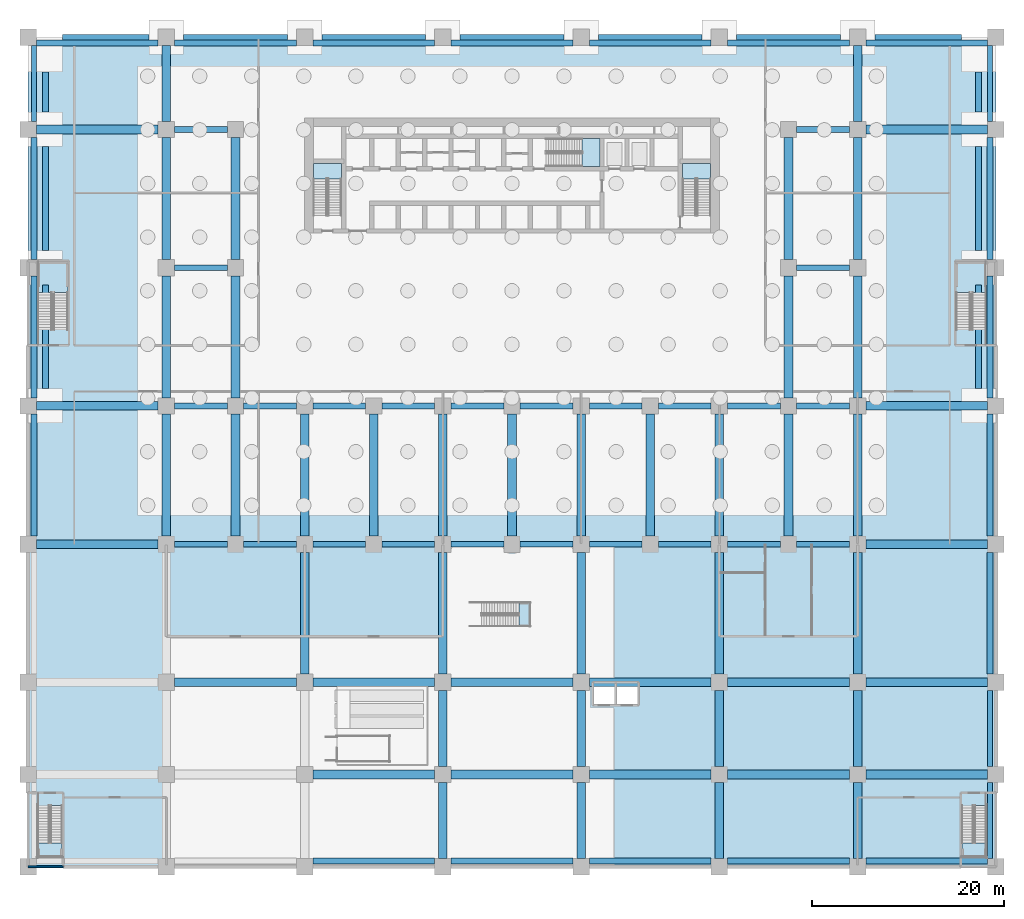
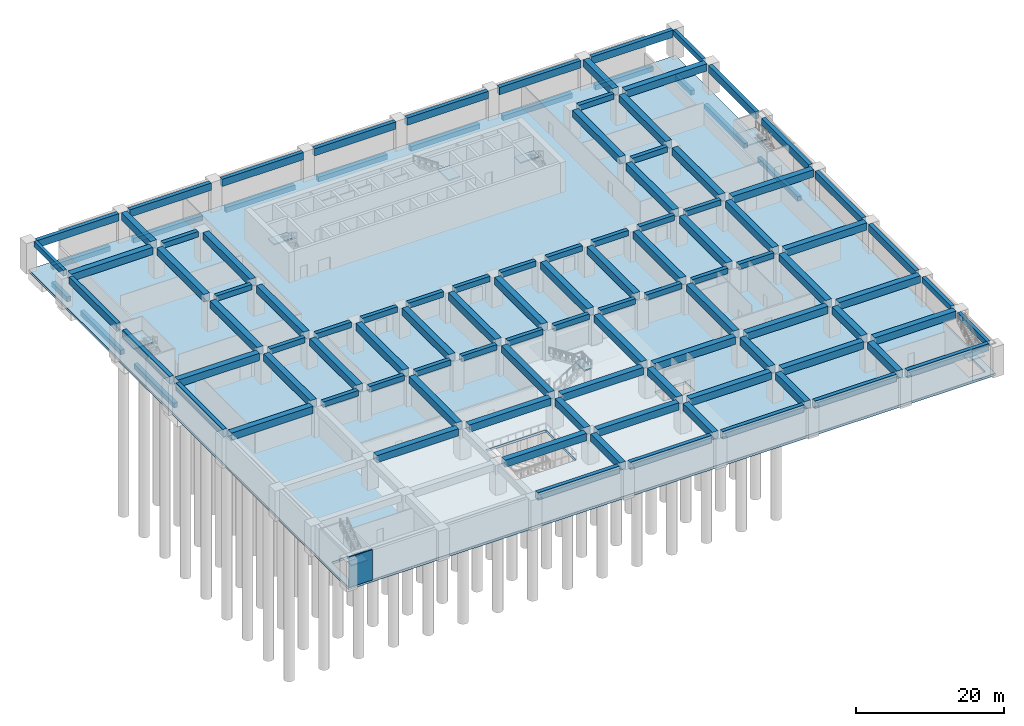
# One storey, part 2 of 20: 111 beams, 9 slabs, 1 wall, 8 elements without a shape of their own.
"""IFC4 building model written with IfcOpenShell, lengths in metres."""

from ifc_helpers import new_model, si_unit, direction, frame, frame_2d, origin, origin_with_axes, origin_2d, place, context, subcontext, project, spatial, polyline, rectangle, outline, extrude, source, transform, mapped, material, layer, layer_set, material_profile, profile_set, type_object, element, aggregate, save


model = new_model("IFC4")

# Units and contexts
model_context = context("Model", 3, precision=1e-05, world=origin(), true_north=direction((0.0, 1.0)))
body_context = subcontext(model_context, "Body", "Model", "MODEL_VIEW")
ifc_project = project(units=[si_unit("LENGTHUNIT", "METRE"), si_unit("AREAUNIT", "SQUARE_METRE"), si_unit("VOLUMEUNIT", "CUBIC_METRE"), si_unit("PLANEANGLEUNIT", "RADIAN"), si_unit("MASSUNIT", "GRAM", prefix="KILO")], contexts=[model_context])

# Site, building, storey
site_placement = place(None, origin())
site = spatial("IfcSite", under=ifc_project, at=site_placement, CompositionType="ELEMENT")
building_placement = place(site_placement, origin())
building = spatial("IfcBuilding", under=site, at=building_placement, Name="Saffron Iwan Residences", CompositionType="ELEMENT")
storey_placement = place(building_placement, frame((0.0, 0.0, -5.39990234375)))
storey = spatial("IfcBuildingStorey", under=building, at=storey_placement, Name="B1", CompositionType="ELEMENT", Elevation=-5.39990234375)

# Beams
ifc_material_1 = material(Name="Concrete C50/60", Category="concrete")
ifc_material_profile_1 = material_profile(ifc_material_1, rectangle(XDim=0.5, YDim=0.89990234375, at=origin_2d()), Name="RC 500x900")
ifc_profile_set_1 = profile_set([ifc_material_profile_1], Name="Concrete C50/60")
beam_type_1 = type_object("IfcBeamType", Name="SPANDREL BEAM RC 500x900 C50/60 TOP 5000", PredefinedType="SPANDREL", material=ifc_profile_set_1)
shared_shape_1 = source(origin(), body_context, "Body", "SweptSolid", [
    extrude(rectangle(XDim=0.5, YDim=0.89990234375, at=origin_2d()), origin(), (0.0, 0.0, 1.0), 7.89990234375),
])
beam_1_placement = place(storey_placement, frame((100.199951171875, 8.75, 4.5498046875), z_axis=(0.0, -1.0, 0.0), x_axis=(1.0, 0.0, 0.0)))
element("IfcBeam", 1, at=beam_1_placement, inside=storey, type_object=beam_type_1, Name="Spandrel beam", PredefinedType="SPANDREL", context=body_context, shape_type="MappedRepresentation", body=[
    mapped(shared_shape_1, transform((0.0, 0.0, 0.0))),
])
shared_shape_2 = source(origin(), body_context, "Body", "SweptSolid", [
    extrude(rectangle(XDim=0.5, YDim=0.89990234375, at=origin_2d()), origin(), (0.0, 0.0, 1.0), 7.900146484375),
])
for number, where, z_axis, x_axis, name in (
    (2, (100.199951171875, 18.35009765625, 4.5498046875), (0.0, -1.0, 0.0), (1.0, 0.0, 0.0), "Spandrel beam"),
    (3, (0.60009765625, 77.64990234375, 4.5498046875), (0.0, 1.0, 0.0), (-1.0, 0.0, 0.0), "Spandrel beam"),
    (4, (100.199951171875, 85.550048828125, 4.5498046875), (0.0, -1.0, 0.0), (1.0, 0.0, 0.0), "Spandrel beam"),
):
    element("IfcBeam", number, at=place(storey_placement, frame(where, z_axis=z_axis, x_axis=x_axis)), inside=storey, type_object=beam_type_1, Name=name, PredefinedType="SPANDREL", context=body_context, shape_type="MappedRepresentation", body=[
        mapped(shared_shape_2, transform((0.0, 0.0, 0.0))),
    ])
ifc_material_profile_2 = material_profile(ifc_material_1, rectangle(XDim=0.60009765625, YDim=1.199951171875, at=origin_2d()), Name="RC 600x1200")
ifc_profile_set_2 = profile_set([ifc_material_profile_2], Name="Concrete C50/60")
beam_type_2 = type_object("IfcBeamType", Name="LINTEL BEAM RC 600x1200 C50/60 TOP 5000", PredefinedType="LINTEL", material=ifc_profile_set_2)
shared_shape_3 = source(origin(), body_context, "Body", "SweptSolid", [
    extrude(rectangle(XDim=0.60009765625, YDim=1.199951171875, at=origin_2d()), origin(), (0.0, 0.0, 1.0), 12.699951171875),
])
for number, where, z_axis, x_axis, name in (
    (5, (56.75, 0.60009765625, 4.39990234375), (-1.0, 0.0, 0.0), (0.0, -1.0, 0.0), "Lintel beam over the iwan"),
    (6, (71.14990234375, 0.60009765625, 4.39990234375), (-1.0, 0.0, 0.0), (0.0, -1.0, 0.0), "Lintel beam over the iwan"),
    (7, (85.550048828125, 0.60009765625, 4.39990234375), (-1.0, 0.0, 0.0), (0.0, -1.0, 0.0), "Lintel beam over the iwan"),
    (8, (99.949951171875, 0.60009765625, 4.39990234375), (-1.0, 0.0, 0.0), (0.0, -1.0, 0.0), "Lintel beam over the iwan"),
    (9, (100.199951171875, 32.75, 4.39990234375), (0.0, -1.0, 0.0), (1.0, 0.0, 0.0), "Lintel beam over the iwan"),
    (10, (0.60009765625, 34.449951171875, 4.39990234375), (0.0, 1.0, 0.0), (-1.0, 0.0, 0.0), "Lintel beam over the iwan"),
    (11, (100.199951171875, 47.14990234375, 4.39990234375), (0.0, -1.0, 0.0), (1.0, 0.0, 0.0), "Lintel beam over the iwan"),
    (12, (0.60009765625, 48.85009765625, 4.39990234375), (0.0, 1.0, 0.0), (-1.0, 0.0, 0.0), "Lintel beam over the iwan"),
    (13, (100.199951171875, 61.550048828125, 4.39990234375), (0.0, -1.0, 0.0), (1.0, 0.0, 0.0), "Lintel beam over the iwan"),
    (14, (0.60009765625, 63.25, 4.39990234375), (0.0, 1.0, 0.0), (-1.0, 0.0, 0.0), "Lintel beam over the iwan"),
    (15, (100.199951171875, 75.949951171875, 4.39990234375), (0.0, -1.0, 0.0), (1.0, 0.0, 0.0), "Lintel beam over the iwan"),
    (16, (0.85009765625, 85.800048828125, 4.39990234375), (1.0, 0.0, 0.0), (0.0, 1.0, 0.0), "Lintel beam over the iwan"),
    (17, (15.25, 85.800048828125, 4.39990234375), (1.0, 0.0, 0.0), (0.0, 1.0, 0.0), "Lintel beam over the iwan"),
    (18, (44.050048828125, 85.800048828125, 4.39990234375), (1.0, 0.0, 0.0), (0.0, 1.0, 0.0), "Lintel beam over the iwan"),
    (19, (58.449951171875, 85.800048828125, 4.39990234375), (1.0, 0.0, 0.0), (0.0, 1.0, 0.0), "Lintel beam over the iwan"),
    (20, (72.85009765625, 85.800048828125, 4.39990234375), (1.0, 0.0, 0.0), (0.0, 1.0, 0.0), "Lintel beam over the iwan"),
    (21, (87.25, 85.800048828125, 4.39990234375), (1.0, 0.0, 0.0), (0.0, 1.0, 0.0), "Lintel beam over the iwan"),
):
    element("IfcBeam", number, at=place(storey_placement, frame(where, z_axis=z_axis, x_axis=x_axis)), inside=storey, type_object=beam_type_2, Name=name, PredefinedType="LINTEL", context=body_context, shape_type="MappedRepresentation", body=[
        mapped(shared_shape_3, transform((0.0, 0.0, 0.0))),
    ])
shared_shape_4 = source(origin(), body_context, "Body", "SweptSolid", [
    extrude(rectangle(XDim=0.60009765625, YDim=1.199951171875, at=origin_2d()), origin(), (0.0, 0.0, 1.0), 12.7001953125),
])
for number, where, z_axis, x_axis, name in (
    (22, (42.35009765625, 0.60009765625, 4.39990234375), (-1.0, 0.0, 0.0), (0.0, -1.0, 0.0), "Lintel beam over the iwan"),
    (23, (29.64990234375, 85.800048828125, 4.39990234375), (1.0, 0.0, 0.0), (0.0, 1.0, 0.0), "Lintel beam over the iwan"),
):
    element("IfcBeam", number, at=place(storey_placement, frame(where, z_axis=z_axis, x_axis=x_axis)), inside=storey, type_object=beam_type_2, Name=name, PredefinedType="LINTEL", context=body_context, shape_type="MappedRepresentation", body=[
        mapped(shared_shape_4, transform((0.0, 0.0, 0.0))),
    ])
ifc_material_profile_3 = material_profile(ifc_material_1, rectangle(XDim=0.89990234375, YDim=1.199951171875, at=origin_2d()), Name="RC 900x1200")
ifc_profile_set_3 = profile_set([ifc_material_profile_3], Name="Concrete C50/60")
beam_type_3 = type_object("IfcBeamType", Name="BEAM RC 900x1200 C50/60 TOP 5000", PredefinedType="BEAM", material=ifc_profile_set_3)
shared_shape_5 = source(origin(), body_context, "Body", "SweptSolid", [
    extrude(rectangle(XDim=0.89990234375, YDim=1.199951171875, at=origin_2d()), origin(), (0.0, 0.0, 1.0), 7.89990234375),
])
for number, where, z_axis, x_axis, name in (
    (24, (43.199951171875, 0.85009765625, 4.39990234375), (0.0, 1.0, 0.0), (-1.0, 0.0, 0.0), "Floor beam"),
    (25, (57.60009765625, 0.85009765625, 4.39990234375), (0.0, 1.0, 0.0), (-1.0, 0.0, 0.0), "Floor beam"),
    (26, (72.0, 0.85009765625, 4.39990234375), (0.0, 1.0, 0.0), (-1.0, 0.0, 0.0), "Floor beam"),
    (27, (86.39990234375, 0.85009765625, 4.39990234375), (0.0, 1.0, 0.0), (-1.0, 0.0, 0.0), "Floor beam"),
):
    element("IfcBeam", number, at=place(storey_placement, frame(where, z_axis=z_axis, x_axis=x_axis)), inside=storey, type_object=beam_type_3, Name=name, PredefinedType="BEAM", context=body_context, shape_type="MappedRepresentation", body=[
        mapped(shared_shape_5, transform((0.0, 0.0, 0.0))),
    ])
shared_shape_6 = source(origin(), body_context, "Body", "SweptSolid", [
    extrude(rectangle(XDim=0.89990234375, YDim=1.199951171875, at=origin_2d()), origin(), (0.0, 0.0, 1.0), 12.699951171875),
])
for number, where, z_axis, x_axis, name in (
    (28, (44.050048828125, 9.60009765625, 4.39990234375), (1.0, 0.0, 0.0), (0.0, 1.0, 0.0), "Floor beam"),
    (29, (58.449951171875, 9.60009765625, 4.39990234375), (1.0, 0.0, 0.0), (0.0, 1.0, 0.0), "Floor beam"),
    (30, (72.85009765625, 9.60009765625, 4.39990234375), (1.0, 0.0, 0.0), (0.0, 1.0, 0.0), "Floor beam"),
    (31, (87.25, 9.60009765625, 4.39990234375), (1.0, 0.0, 0.0), (0.0, 1.0, 0.0), "Floor beam"),
    (32, (15.25, 19.199951171875, 4.39990234375), (1.0, 0.0, 0.0), (0.0, 1.0, 0.0), "Floor beam"),
    (33, (44.050048828125, 19.199951171875, 4.39990234375), (1.0, 0.0, 0.0), (0.0, 1.0, 0.0), "Floor beam"),
    (34, (58.449951171875, 19.199951171875, 4.39990234375), (1.0, 0.0, 0.0), (0.0, 1.0, 0.0), "Floor beam"),
    (35, (72.85009765625, 19.199951171875, 4.39990234375), (1.0, 0.0, 0.0), (0.0, 1.0, 0.0), "Floor beam"),
    (36, (87.25, 19.199951171875, 4.39990234375), (1.0, 0.0, 0.0), (0.0, 1.0, 0.0), "Floor beam"),
    (37, (28.800048828125, 20.050048828125, 4.39990234375), (0.0, 1.0, 0.0), (-1.0, 0.0, 0.0), "Floor beam"),
    (38, (43.199951171875, 20.050048828125, 4.39990234375), (0.0, 1.0, 0.0), (-1.0, 0.0, 0.0), "Floor beam"),
    (39, (57.60009765625, 20.050048828125, 4.39990234375), (0.0, 1.0, 0.0), (-1.0, 0.0, 0.0), "Floor beam"),
    (40, (72.0, 20.050048828125, 4.39990234375), (0.0, 1.0, 0.0), (-1.0, 0.0, 0.0), "Floor beam"),
    (41, (86.39990234375, 20.050048828125, 4.39990234375), (0.0, 1.0, 0.0), (-1.0, 0.0, 0.0), "Floor beam"),
    (42, (0.85009765625, 33.60009765625, 4.39990234375), (1.0, 0.0, 0.0), (0.0, 1.0, 0.0), "Floor beam"),
    (43, (87.25, 33.60009765625, 4.39990234375), (1.0, 0.0, 0.0), (0.0, 1.0, 0.0), "Floor beam"),
    (44, (14.39990234375, 34.449951171875, 4.39990234375), (0.0, 1.0, 0.0), (-1.0, 0.0, 0.0), "Floor beam"),
    (45, (21.60009765625, 34.449951171875, 4.39990234375), (0.0, 1.0, 0.0), (-1.0, 0.0, 0.0), "Floor beam"),
    (46, (28.800048828125, 34.449951171875, 4.39990234375), (0.0, 1.0, 0.0), (-1.0, 0.0, 0.0), "Floor beam"),
    (47, (36.0, 34.449951171875, 4.39990234375), (0.0, 1.0, 0.0), (-1.0, 0.0, 0.0), "Floor beam"),
    (48, (43.199951171875, 34.449951171875, 4.39990234375), (0.0, 1.0, 0.0), (-1.0, 0.0, 0.0), "Floor beam"),
    (49, (50.39990234375, 34.449951171875, 4.39990234375), (0.0, 1.0, 0.0), (-1.0, 0.0, 0.0), "Floor beam"),
    (50, (57.60009765625, 34.449951171875, 4.39990234375), (0.0, 1.0, 0.0), (-1.0, 0.0, 0.0), "Floor beam"),
    (51, (64.800048828125, 34.449951171875, 4.39990234375), (0.0, 1.0, 0.0), (-1.0, 0.0, 0.0), "Floor beam"),
    (52, (72.0, 34.449951171875, 4.39990234375), (0.0, 1.0, 0.0), (-1.0, 0.0, 0.0), "Floor beam"),
    (53, (79.199951171875, 34.449951171875, 4.39990234375), (0.0, 1.0, 0.0), (-1.0, 0.0, 0.0), "Floor beam"),
    (54, (86.39990234375, 34.449951171875, 4.39990234375), (0.0, 1.0, 0.0), (-1.0, 0.0, 0.0), "Floor beam"),
    (55, (0.85009765625, 48.0, 4.39990234375), (1.0, 0.0, 0.0), (0.0, 1.0, 0.0), "Floor beam"),
    (56, (87.25, 48.0, 4.39990234375), (1.0, 0.0, 0.0), (0.0, 1.0, 0.0), "Floor beam"),
    (57, (14.39990234375, 48.85009765625, 4.39990234375), (0.0, 1.0, 0.0), (-1.0, 0.0, 0.0), "Floor beam"),
    (58, (21.60009765625, 48.85009765625, 4.39990234375), (0.0, 1.0, 0.0), (-1.0, 0.0, 0.0), "Floor beam"),
    (59, (79.199951171875, 48.85009765625, 4.39990234375), (0.0, 1.0, 0.0), (-1.0, 0.0, 0.0), "Floor beam"),
    (60, (86.39990234375, 48.85009765625, 4.39990234375), (0.0, 1.0, 0.0), (-1.0, 0.0, 0.0), "Floor beam"),
    (61, (14.39990234375, 63.25, 4.39990234375), (0.0, 1.0, 0.0), (-1.0, 0.0, 0.0), "Floor beam"),
    (62, (21.60009765625, 63.25, 4.39990234375), (0.0, 1.0, 0.0), (-1.0, 0.0, 0.0), "Floor beam"),
    (63, (79.199951171875, 63.25, 4.39990234375), (0.0, 1.0, 0.0), (-1.0, 0.0, 0.0), "Floor beam"),
    (64, (86.39990234375, 63.25, 4.39990234375), (0.0, 1.0, 0.0), (-1.0, 0.0, 0.0), "Floor beam"),
    (65, (0.85009765625, 76.800048828125, 4.39990234375), (1.0, 0.0, 0.0), (0.0, 1.0, 0.0), "Floor beam"),
    (66, (87.25, 76.800048828125, 4.39990234375), (1.0, 0.0, 0.0), (0.0, 1.0, 0.0), "Floor beam"),
):
    element("IfcBeam", number, at=place(storey_placement, frame(where, z_axis=z_axis, x_axis=x_axis)), inside=storey, type_object=beam_type_3, Name=name, PredefinedType="BEAM", context=body_context, shape_type="MappedRepresentation", body=[
        mapped(shared_shape_6, transform((0.0, 0.0, 0.0))),
    ])
shared_shape_7 = source(origin(), body_context, "Body", "SweptSolid", [
    extrude(rectangle(XDim=0.89990234375, YDim=1.199951171875, at=origin_2d()), origin(), (0.0, 0.0, 1.0), 12.7001953125),
])
for number, where, z_axis, x_axis, name in (
    (67, (29.64990234375, 9.60009765625, 4.39990234375), (1.0, 0.0, 0.0), (0.0, 1.0, 0.0), "Floor beam"),
    (68, (29.64990234375, 19.199951171875, 4.39990234375), (1.0, 0.0, 0.0), (0.0, 1.0, 0.0), "Floor beam"),
):
    element("IfcBeam", number, at=place(storey_placement, frame(where, z_axis=z_axis, x_axis=x_axis)), inside=storey, type_object=beam_type_3, Name=name, PredefinedType="BEAM", context=body_context, shape_type="MappedRepresentation", body=[
        mapped(shared_shape_7, transform((0.0, 0.0, 0.0))),
    ])
shared_shape_8 = source(origin(), body_context, "Body", "SweptSolid", [
    extrude(rectangle(XDim=0.89990234375, YDim=1.199951171875, at=origin_2d()), origin(), (0.0, 0.0, 1.0), 7.900146484375),
])
for number, where, z_axis, x_axis, name in (
    (69, (43.199951171875, 10.449951171875, 4.39990234375), (0.0, 1.0, 0.0), (-1.0, 0.0, 0.0), "Floor beam"),
    (70, (57.60009765625, 10.449951171875, 4.39990234375), (0.0, 1.0, 0.0), (-1.0, 0.0, 0.0), "Floor beam"),
    (71, (72.0, 10.449951171875, 4.39990234375), (0.0, 1.0, 0.0), (-1.0, 0.0, 0.0), "Floor beam"),
    (72, (86.39990234375, 10.449951171875, 4.39990234375), (0.0, 1.0, 0.0), (-1.0, 0.0, 0.0), "Floor beam"),
    (73, (14.39990234375, 77.64990234375, 4.39990234375), (0.0, 1.0, 0.0), (-1.0, 0.0, 0.0), "Floor beam"),
    (74, (86.39990234375, 77.64990234375, 4.39990234375), (0.0, 1.0, 0.0), (-1.0, 0.0, 0.0), "Floor beam"),
):
    element("IfcBeam", number, at=place(storey_placement, frame(where, z_axis=z_axis, x_axis=x_axis)), inside=storey, type_object=beam_type_3, Name=name, PredefinedType="BEAM", context=body_context, shape_type="MappedRepresentation", body=[
        mapped(shared_shape_8, transform((0.0, 0.0, 0.0))),
    ])
ifc_material_profile_4 = material_profile(ifc_material_1, rectangle(XDim=0.60009765625, YDim=0.89990234375, at=origin_2d()), Name="RC 600x900")
ifc_profile_set_4 = profile_set([ifc_material_profile_4], Name="Concrete C50/60")
beam_type_4 = type_object("IfcBeamType", Name="BEAM RC 600x900 C50/60 TOP 5000", PredefinedType="BEAM", material=ifc_profile_set_4)
shared_shape_9 = source(origin(), body_context, "Body", "SweptSolid", [
    extrude(rectangle(XDim=0.60009765625, YDim=0.89990234375, at=origin_2d()), origin(), (0.0, 0.0, 1.0), 5.5),
])
for number, where, z_axis, x_axis, name in (
    (75, (15.25, 33.60009765625, 4.5498046875), (1.0, 0.0, 0.0), (0.0, 1.0, 0.0), "Floor beam"),
    (76, (22.449951171875, 33.60009765625, 4.5498046875), (1.0, 0.0, 0.0), (0.0, 1.0, 0.0), "Floor beam"),
    (77, (29.64990234375, 33.60009765625, 4.5498046875), (1.0, 0.0, 0.0), (0.0, 1.0, 0.0), "Floor beam"),
    (78, (36.85009765625, 33.60009765625, 4.5498046875), (1.0, 0.0, 0.0), (0.0, 1.0, 0.0), "Floor beam"),
    (79, (44.050048828125, 33.60009765625, 4.5498046875), (1.0, 0.0, 0.0), (0.0, 1.0, 0.0), "Floor beam"),
    (80, (51.25, 33.60009765625, 4.5498046875), (1.0, 0.0, 0.0), (0.0, 1.0, 0.0), "Floor beam"),
    (81, (58.449951171875, 33.60009765625, 4.5498046875), (1.0, 0.0, 0.0), (0.0, 1.0, 0.0), "Floor beam"),
    (82, (65.64990234375, 33.60009765625, 4.5498046875), (1.0, 0.0, 0.0), (0.0, 1.0, 0.0), "Floor beam"),
    (83, (72.85009765625, 33.60009765625, 4.5498046875), (1.0, 0.0, 0.0), (0.0, 1.0, 0.0), "Floor beam"),
    (84, (80.050048828125, 33.60009765625, 4.5498046875), (1.0, 0.0, 0.0), (0.0, 1.0, 0.0), "Floor beam"),
    (85, (15.25, 48.0, 4.5498046875), (1.0, 0.0, 0.0), (0.0, 1.0, 0.0), "Floor beam"),
    (86, (22.449951171875, 48.0, 4.5498046875), (1.0, 0.0, 0.0), (0.0, 1.0, 0.0), "Floor beam"),
    (87, (29.64990234375, 48.0, 4.5498046875), (1.0, 0.0, 0.0), (0.0, 1.0, 0.0), "Floor beam"),
    (88, (36.85009765625, 48.0, 4.5498046875), (1.0, 0.0, 0.0), (0.0, 1.0, 0.0), "Floor beam"),
    (89, (44.050048828125, 48.0, 4.5498046875), (1.0, 0.0, 0.0), (0.0, 1.0, 0.0), "Floor beam"),
    (90, (51.25, 48.0, 4.5498046875), (1.0, 0.0, 0.0), (0.0, 1.0, 0.0), "Floor beam"),
    (91, (58.449951171875, 48.0, 4.5498046875), (1.0, 0.0, 0.0), (0.0, 1.0, 0.0), "Floor beam"),
    (92, (65.64990234375, 48.0, 4.5498046875), (1.0, 0.0, 0.0), (0.0, 1.0, 0.0), "Floor beam"),
    (93, (72.85009765625, 48.0, 4.5498046875), (1.0, 0.0, 0.0), (0.0, 1.0, 0.0), "Floor beam"),
    (94, (80.050048828125, 48.0, 4.5498046875), (1.0, 0.0, 0.0), (0.0, 1.0, 0.0), "Floor beam"),
    (95, (15.25, 62.39990234375, 4.5498046875), (1.0, 0.0, 0.0), (0.0, 1.0, 0.0), "Floor beam"),
    (96, (80.050048828125, 62.39990234375, 4.5498046875), (1.0, 0.0, 0.0), (0.0, 1.0, 0.0), "Floor beam"),
    (97, (15.25, 76.800048828125, 4.5498046875), (1.0, 0.0, 0.0), (0.0, 1.0, 0.0), "Floor beam"),
    (98, (80.050048828125, 76.800048828125, 4.5498046875), (1.0, 0.0, 0.0), (0.0, 1.0, 0.0), "Floor beam"),
):
    element("IfcBeam", number, at=place(storey_placement, frame(where, z_axis=z_axis, x_axis=x_axis)), inside=storey, type_object=beam_type_4, Name=name, PredefinedType="BEAM", context=body_context, shape_type="MappedRepresentation", body=[
        mapped(shared_shape_9, transform((0.0, 0.0, 0.0))),
    ])
ifc_material_2 = material(Name="Concrete C40/50", Category="concrete")
ifc_material_profile_5 = material_profile(ifc_material_2, rectangle(XDim=0.60009765625, YDim=0.800048828125, at=origin_2d()), Name="RC 600x800")
ifc_profile_set_5 = profile_set([ifc_material_profile_5], Name="Concrete C40/50")
beam_type_5 = type_object("IfcBeamType", Name="GROUND BEAM RC 600x800 C40/50 TOP -400", PredefinedType="BEAM", material=ifc_profile_set_5)
shared_shape_10 = source(origin(), body_context, "Body", "SweptSolid", [
    extrude(rectangle(XDim=0.60009765625, YDim=0.800048828125, at=origin_2d()), origin(), (0.0, 0.0, 1.0), 10.800048828125),
])
for number, where, z_axis, x_axis, name in (
    (99, (1.800048828125, 49.800048828125, -0.800048828125), (0.0, 1.0, 0.0), (-1.0, 0.0, 0.0), "Ground beam"),
    (100, (1.800048828125, 64.199951171875, -0.800048828125), (0.0, 1.0, 0.0), (-1.0, 0.0, 0.0), "Ground beam"),
    (101, (16.199951171875, 86.39990234375, -0.800048828125), (1.0, 0.0, 0.0), (0.0, 1.0, 0.0), "Ground beam"),
    (102, (45.0, 86.39990234375, -0.800048828125), (1.0, 0.0, 0.0), (0.0, 1.0, 0.0), "Ground beam"),
    (103, (59.39990234375, 86.39990234375, -0.800048828125), (1.0, 0.0, 0.0), (0.0, 1.0, 0.0), "Ground beam"),
    (104, (73.800048828125, 86.39990234375, -0.800048828125), (1.0, 0.0, 0.0), (0.0, 1.0, 0.0), "Ground beam"),
    (105, (99.0, 49.800048828125, -0.800048828125), (0.0, 1.0, 0.0), (-1.0, 0.0, 0.0), "Ground beam"),
    (106, (99.0, 64.199951171875, -0.800048828125), (0.0, 1.0, 0.0), (-1.0, 0.0, 0.0), "Ground beam"),
):
    element("IfcBeam", number, at=place(storey_placement, frame(where, z_axis=z_axis, x_axis=x_axis)), inside=storey, type_object=beam_type_5, Name=name, PredefinedType="BEAM", context=body_context, shape_type="MappedRepresentation", body=[
        mapped(shared_shape_10, transform((0.0, 0.0, 0.0))),
    ])
shared_shape_11 = source(origin(), body_context, "Body", "SweptSolid", [
    extrude(rectangle(XDim=0.60009765625, YDim=0.800048828125, at=origin_2d()), origin(), (0.0, 0.0, 1.0), 4.199951171875),
])
for number, where, z_axis, x_axis, name in (
    (107, (1.800048828125, 78.60009765625, -0.800048828125), (0.0, 1.0, 0.0), (-1.0, 0.0, 0.0), "Ground beam"),
    (108, (99.0, 78.60009765625, -0.800048828125), (0.0, 1.0, 0.0), (-1.0, 0.0, 0.0), "Ground beam"),
):
    element("IfcBeam", number, at=place(storey_placement, frame(where, z_axis=z_axis, x_axis=x_axis)), inside=storey, type_object=beam_type_5, Name=name, PredefinedType="BEAM", context=body_context, shape_type="MappedRepresentation", body=[
        mapped(shared_shape_11, transform((0.0, 0.0, 0.0))),
    ])
shared_shape_12 = source(origin(), body_context, "Body", "SweptSolid", [
    extrude(rectangle(XDim=0.60009765625, YDim=0.800048828125, at=origin_2d()), origin(), (0.0, 0.0, 1.0), 9.0),
])
for number, where, z_axis, x_axis, name in (
    (109, (3.60009765625, 86.39990234375, -0.800048828125), (1.0, 0.0, 0.0), (0.0, 1.0, 0.0), "Ground beam"),
    (110, (88.199951171875, 86.39990234375, -0.800048828125), (1.0, 0.0, 0.0), (0.0, 1.0, 0.0), "Ground beam"),
):
    element("IfcBeam", number, at=place(storey_placement, frame(where, z_axis=z_axis, x_axis=x_axis)), inside=storey, type_object=beam_type_5, Name=name, PredefinedType="BEAM", context=body_context, shape_type="MappedRepresentation", body=[
        mapped(shared_shape_12, transform((0.0, 0.0, 0.0))),
    ])
shared_shape_13 = source(origin(), body_context, "Body", "SweptSolid", [
    extrude(rectangle(XDim=0.60009765625, YDim=0.800048828125, at=origin_2d()), origin(), (0.0, 0.0, 1.0), 10.7998046875),
])
beam_2_placement = place(storey_placement, frame((30.60009765625, 86.39990234375, -0.800048828125), z_axis=(1.0, 0.0, 0.0), x_axis=(0.0, 1.0, 0.0)))
element("IfcBeam", 111, at=beam_2_placement, inside=storey, type_object=beam_type_5, Name="Ground beam", PredefinedType="BEAM", context=body_context, shape_type="MappedRepresentation", body=[
    mapped(shared_shape_13, transform((0.0, 0.0, 0.0))),
])

# Slab
ifc_layer_1 = layer(ifc_material_2, 0.39990234375)
ifc_layer_set_1 = layer_set([ifc_layer_1], Name="Concrete C40/50")
slab_type_1 = type_object("IfcSlabType", Name="PT PLATE 400 C40/50", PredefinedType="FLOOR", material=ifc_layer_set_1)
slab_1_placement = place(storey_placement, frame((0.0, 0.0, -0.400146484375)))
element("IfcSlab", 112, at=slab_1_placement, inside=storey, type_object=slab_type_1, Name="Floor slab B1", PredefinedType="FLOOR", context=body_context, shape_type="SweptSolid", body=[
    extrude(outline(polyline([(0.0, 0.0), (0.0, 86.39990234375), (100.800048828125, 86.39990234375), (100.800048828125, 0.0), (0.0, 0.0)]), holes=[polyline([(1.0, 1.0), (3.550048828125, 1.0), (3.550048828125, 6.399658203125), (2.199951171875, 6.399658203125), (2.199951171875, 6.300048828125), (1.0, 6.300048828125), (1.0, 1.0)]), polyline([(97.25, 1.0), (99.800048828125, 1.0), (99.800048828125, 6.399658203125), (98.449951171875, 6.399658203125), (98.449951171875, 6.300048828125), (97.25, 6.300048828125), (97.25, 1.0)]), polyline([(32.200439453125, 10.60009765625), (41.60009765625, 10.60009765625), (41.60009765625, 18.800048828125), (32.200439453125, 18.800048828125), (32.200439453125, 10.60009765625)]), polyline([(58.800048828125, 19.199951171875), (58.800048828125, 16.800048828125), (61.199951171875, 16.800048828125), (63.60009765625, 16.800048828125), (63.60009765625, 19.199951171875), (61.199951171875, 19.199951171875), (58.800048828125, 19.199951171875)])]), origin(), (0.0, 0.0, 1.0), 0.400146484375),
])

# Stair, slab
stair_type_1 = type_object("IfcStairType", Name="Podium stair, reinforced concrete", PredefinedType="HALF_TURN_STAIR", material=ifc_material_2)
stair_1_placement = place(storey_placement, origin())
stair_1 = element("IfcStair", 113, at=stair_1_placement, inside=storey, type_object=stair_type_1, Name="B1 Station Escape Stair 1", PredefinedType="HALF_TURN_STAIR")
ifc_layer_2 = layer(ifc_material_2, 0.199951171875)
ifc_layer_set_2 = layer_set([ifc_layer_2], Name="Concrete C40/50")
slab_type_2 = type_object("IfcSlabType", Name="Podium stair landing, reinforced concrete", PredefinedType="LANDING", material=ifc_layer_set_2)
slab_2_placement = place(storey_placement, frame((0.0, 0.0, 2.499755859375)))
slab_2 = element("IfcSlab", 114, at=slab_2_placement, type_object=slab_type_2, Name="SE1 landing 1", PredefinedType="LANDING", context=body_context, shape_type="SweptSolid", body=[
    extrude(outline(polyline([(1.0, 2.47998046875), (1.0, 1.0), (3.550048828125, 1.0), (3.550048828125, 2.47998046875), (1.0, 2.47998046875)])), origin(), (0.0, 0.0, 1.0), 0.2001953125),
])
aggregate(stair_1, [slab_2])

stair_2_placement = place(storey_placement, origin())
stair_2 = element("IfcStair", 115, at=stair_2_placement, inside=storey, type_object=stair_type_1, Name="B1 Station Escape Stair 2", PredefinedType="HALF_TURN_STAIR")
slab_3_placement = place(storey_placement, frame((0.0, 0.0, 2.499755859375)))
slab_3 = element("IfcSlab", 116, at=slab_3_placement, type_object=slab_type_2, Name="SE2 landing 1", PredefinedType="LANDING", context=body_context, shape_type="SweptSolid", body=[
    extrude(outline(polyline([(97.25, 2.47998046875), (97.25, 1.0), (99.800048828125, 1.0), (99.800048828125, 2.47998046875), (97.25, 2.47998046875)])), origin(), (0.0, 0.0, 1.0), 0.2001953125),
])
aggregate(stair_2, [slab_3])

stair_3_placement = place(storey_placement, origin())
stair_3 = element("IfcStair", 117, at=stair_3_placement, inside=storey, type_object=stair_type_1, Name="B1 Podium Stair 3", PredefinedType="HALF_TURN_STAIR")
slab_4_placement = place(storey_placement, frame((0.0, 0.0, 2.499755859375)))
slab_4 = element("IfcSlab", 118, at=slab_4_placement, type_object=slab_type_2, Name="PS3 landing 1", PredefinedType="LANDING", context=body_context, shape_type="SweptSolid", body=[
    extrude(outline(polyline([(4.14990234375, 59.820068359375), (4.14990234375, 63.0), (1.0, 63.0), (1.0, 59.820068359375), (4.14990234375, 59.820068359375)])), origin(), (0.0, 0.0, 1.0), 0.2001953125),
])
aggregate(stair_3, [slab_4])

stair_4_placement = place(storey_placement, origin())
stair_4 = element("IfcStair", 119, at=stair_4_placement, inside=storey, type_object=stair_type_1, Name="B1 Podium Stair 4", PredefinedType="HALF_TURN_STAIR")
slab_5_placement = place(storey_placement, frame((0.0, 0.0, 2.499755859375)))
slab_5 = element("IfcSlab", 120, at=slab_5_placement, type_object=slab_type_2, Name="PS4 landing 1", PredefinedType="LANDING", context=body_context, shape_type="SweptSolid", body=[
    extrude(outline(polyline([(99.800048828125, 59.820068359375), (99.800048828125, 63.0), (96.64990234375, 63.0), (96.64990234375, 59.820068359375), (99.800048828125, 59.820068359375)])), origin(), (0.0, 0.0, 1.0), 0.2001953125),
])
aggregate(stair_4, [slab_5])

stair_5_placement = place(storey_placement, origin())
stair_5 = element("IfcStair", 121, at=stair_5_placement, inside=storey, type_object=stair_type_1, Name="B1 Station Stair 1", PredefinedType="HALF_TURN_STAIR")
slab_6_placement = place(storey_placement, frame((0.0, 0.0, 2.499755859375)))
slab_6 = element("IfcSlab", 122, at=slab_6_placement, type_object=slab_type_2, Name="SP1 landing 1", PredefinedType="LANDING", context=body_context, shape_type="SweptSolid", body=[
    extrude(outline(polyline([(51.1201171875, 25.0), (52.320068359375, 25.0), (52.320068359375, 27.550048828125), (51.1201171875, 27.550048828125), (51.1201171875, 25.0)])), origin(), (0.0, 0.0, 1.0), 0.2001953125),
])
aggregate(stair_5, [slab_6])

stair_type_2 = type_object("IfcStairType", Name="Stair ST-CORE", PredefinedType="HALF_TURN_STAIR", material=ifc_material_1)
stair_6_placement = place(storey_placement, origin())
stair_6 = element("IfcStair", 123, at=stair_6_placement, inside=storey, type_object=stair_type_2, Name="B1 Exit Stair ST-W", PredefinedType="HALF_TURN_STAIR")
ifc_layer_3 = layer(ifc_material_1, 0.199951171875)
ifc_layer_set_3 = layer_set([ifc_layer_3], Name="Concrete C50/60")
slab_type_3 = type_object("IfcSlabType", Name="Stair landing SL-RC", PredefinedType="LANDING", material=ifc_layer_set_3)
slab_7_placement = place(storey_placement, frame((0.0, 0.0, 2.499755859375)))
slab_7 = element("IfcSlab", 124, at=slab_7_placement, type_object=slab_type_3, Name="ST-W landing 1", PredefinedType="LANDING", context=body_context, shape_type="SweptSolid", body=[
    extrude(outline(polyline([(32.64990234375, 71.6298828125), (32.64990234375, 73.25), (29.699951171875, 73.25), (29.699951171875, 71.6298828125), (32.64990234375, 71.6298828125)])), origin(), (0.0, 0.0, 1.0), 0.2001953125),
])
aggregate(stair_6, [slab_7])

stair_7_placement = place(storey_placement, origin())
stair_7 = element("IfcStair", 125, at=stair_7_placement, inside=storey, type_object=stair_type_2, Name="B1 Exit Stair ST-C", PredefinedType="HALF_TURN_STAIR")
slab_8_placement = place(storey_placement, frame((0.0, 0.0, 2.499755859375)))
slab_8 = element("IfcSlab", 126, at=slab_8_placement, type_object=slab_type_3, Name="ST-C landing 1", PredefinedType="LANDING", context=body_context, shape_type="SweptSolid", body=[
    extrude(outline(polyline([(57.705078125, 72.925048828125), (59.550048828125, 72.925048828125), (59.550048828125, 75.875), (57.705078125, 75.875), (57.705078125, 72.925048828125)])), origin(), (0.0, 0.0, 1.0), 0.2001953125),
])
aggregate(stair_7, [slab_8])

stair_8_placement = place(storey_placement, origin())
stair_8 = element("IfcStair", 127, at=stair_8_placement, inside=storey, type_object=stair_type_2, Name="B1 Exit Stair ST-E", PredefinedType="HALF_TURN_STAIR")
slab_9_placement = place(storey_placement, frame((0.0, 0.0, 2.499755859375)))
slab_9 = element("IfcSlab", 128, at=slab_9_placement, type_object=slab_type_3, Name="ST-E landing 1", PredefinedType="LANDING", context=body_context, shape_type="SweptSolid", body=[
    extrude(outline(polyline([(71.10009765625, 71.6298828125), (71.10009765625, 73.25), (68.14990234375, 73.25), (68.14990234375, 71.6298828125), (71.10009765625, 71.6298828125)])), origin(), (0.0, 0.0, 1.0), 0.2001953125),
])
aggregate(stair_8, [slab_9])

# Wall
ifc_layer_4 = layer(ifc_material_2, 0.199951171875)
ifc_layer_set_4 = layer_set([ifc_layer_4], Name="Concrete C40/50")
wall_type = type_object("IfcWallType", Name="Reinforced concrete stair wall 200", PredefinedType="SOLIDWALL", material=ifc_layer_set_4)
wall_placement = place(storey_placement, origin_with_axes())
element("IfcWall", 129, at=wall_placement, inside=storey, type_object=wall_type, Name="W-B1-002", PredefinedType="SOLIDWALL", context=body_context, shape_type="SweptSolid", body=[
    extrude(rectangle(XDim=3.64990234375, YDim=0.199951171875, at=frame_2d((1.824951171875, 0.0))), origin(), (0.0, 0.0, 1.0), 5.0),
])

save(model, "model.ifc")
